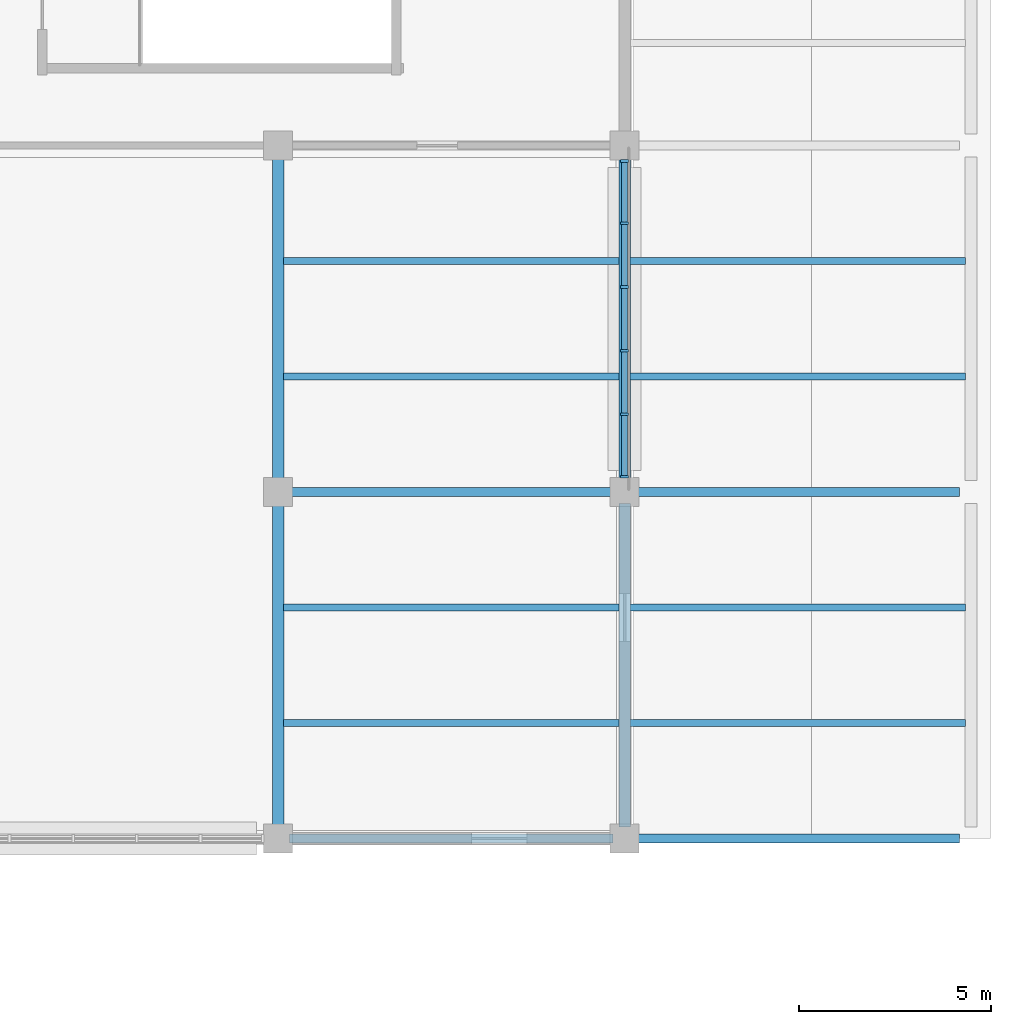
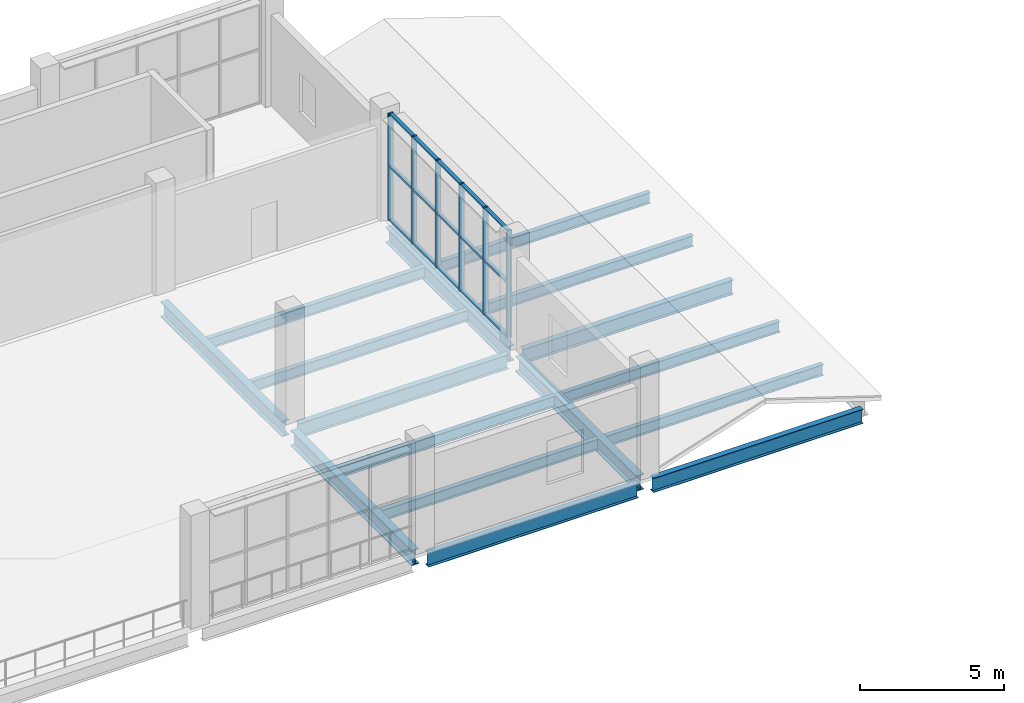
# One storey, part 67 of 152: 21 members, 16 beams, 1 element without a shape of its own.
"""IFC4 building model written with IfcOpenShell, lengths in metres."""

from ifc_helpers import new_model, si_unit, direction, frame, origin, origin_2d, place, context, subcontext, project, spatial, rectangle, i_section, extrude, material, material_profile, profile_set, type_object, element, aggregate, save


model = new_model("IFC4")

# Units and contexts
model_context = context("Model", 3, precision=1e-05, world=origin(), true_north=direction((0.0, 1.0)))
body_context = subcontext(model_context, "Body", "Model", "MODEL_VIEW")
ifc_project = project(units=[si_unit("LENGTHUNIT", "METRE"), si_unit("AREAUNIT", "SQUARE_METRE"), si_unit("VOLUMEUNIT", "CUBIC_METRE"), si_unit("PLANEANGLEUNIT", "RADIAN"), si_unit("MASSUNIT", "GRAM", prefix="KILO")], contexts=[model_context])

# Site, building, storey
site_placement = place(None, origin())
site = spatial("IfcSite", under=ifc_project, at=site_placement, CompositionType="ELEMENT")
building_placement = place(site_placement, origin())
building = spatial("IfcBuilding", under=site, at=building_placement, Name="Zevraka Park Crest Stadium", CompositionType="ELEMENT")
storey_placement = place(building_placement, frame((0.0, 0.0, 15.0)))
storey = spatial("IfcBuildingStorey", under=building, at=storey_placement, Name="L03", CompositionType="ELEMENT", Elevation=15.0)

# Beams
ifc_material_1 = material(Name="Steel S355", Category="steel")
ifc_material_profile_1 = material_profile(ifc_material_1, i_section(OverallWidth=0.300048828125, OverallDepth=0.64990234375, WebThickness=0.01611328125, FlangeThickness=0.031005859375, at=origin_2d()), Name="HEB 650")
ifc_profile_set_1 = profile_set([ifc_material_profile_1], Name="Steel S355")
beam_type_1 = type_object("IfcBeamType", Name="BG07", PredefinedType="BEAM", material=ifc_profile_set_1)
for number, where, z_axis, x_axis, name in (
    (1, (206.0, 158.300048828125, -0.633056640625), (0.0, 1.0, 0.0), (-1.0, 0.0, 0.0), "Wing Girder BG07 L03-23/TU"),
    (2, (206.0, 167.300048828125, -0.633056640625), (0.0, 1.0, 0.0), (-1.0, 0.0, 0.0), "Wing Girder BG07 L03-23/UV"),
    (3, (215.0, 158.300048828125, -0.633056640625), (0.0, 1.0, 0.0), (-1.0, 0.0, 0.0), "Wing Girder BG07 L03-24/TU"),
    (4, (215.0, 167.300048828125, -0.633056640625), (0.0, 1.0, 0.0), (-1.0, 0.0, 0.0), "Wing Girder BG07 L03-24/UV"),
):
    element("IfcBeam", number, at=place(storey_placement, frame(where, z_axis=z_axis, x_axis=x_axis)), inside=storey, type_object=beam_type_1, Name=name, PredefinedType="BEAM", context=body_context, shape_type="SweptSolid", body=[
        extrude(i_section(OverallWidth=0.300048828125, OverallDepth=0.64990234375, WebThickness=0.01611328125, FlangeThickness=0.031005859375, at=origin_2d()), origin(), (0.0, 0.0, 1.0), 8.39990234375),
    ])
ifc_material_2 = material(Name="Steel S355", Category="steel")
ifc_material_profile_2 = material_profile(ifc_material_2, i_section(OverallWidth=0.22900390625, OverallDepth=0.612060546875, WebThickness=0.011962890625, FlangeThickness=0.01953125, at=origin_2d()), Name="UKB 610x229x125")
ifc_profile_set_2 = profile_set([ifc_material_profile_2], Name="Steel S355")
beam_type_2 = type_object("IfcBeamType", Name="BG09", PredefinedType="BEAM", material=ifc_profile_set_2)
for number, where, z_axis, x_axis, name in (
    (5, (206.300048828125, 158.0, -0.614013671875), (1.0, 0.0, 0.0), (0.0, 1.0, 0.0), "Wing Girder BG09 L03-2324/T"),
    (6, (206.300048828125, 167.0, -0.614013671875), (1.0, 0.0, 0.0), (0.0, 1.0, 0.0), "Wing Girder BG09 L03-2324/U"),
    (7, (215.300048828125, 158.0, -0.614013671875), (1.0, 0.0, 0.0), (0.0, 1.0, 0.0), "Wing Girder BG09 L03-2425/T"),
    (8, (215.300048828125, 167.0, -0.614013671875), (1.0, 0.0, 0.0), (0.0, 1.0, 0.0), "Wing Girder BG09 L03-2425/U"),
):
    element("IfcBeam", number, at=place(storey_placement, frame(where, z_axis=z_axis, x_axis=x_axis)), inside=storey, type_object=beam_type_2, Name=name, PredefinedType="BEAM", context=body_context, shape_type="SweptSolid", body=[
        extrude(i_section(OverallWidth=0.22900390625, OverallDepth=0.612060546875, WebThickness=0.011962890625, FlangeThickness=0.01953125, at=origin_2d()), origin(), (0.0, 0.0, 1.0), 8.39990234375),
    ])

# Curtain wall, members
ifc_material_3 = material(Name="Anodised architectural aluminium and laminated safety glass", Category="aluminium")
curtain_wall_type = type_object("IfcCurtainWallType", Name="CW30", PredefinedType="NOTDEFINED", material=ifc_material_3)
curtain_wall_placement = place(storey_placement, origin())
curtain_wall = element("IfcCurtainWall", 9, at=curtain_wall_placement, inside=storey, type_object=curtain_wall_type, Name="Wing Curtain Wall CW30 L03-NGATE-E3-2", PredefinedType="NOTDEFINED")
ifc_material_4 = material(Name="Anodised architectural aluminium", Category="aluminium")
ifc_material_profile_3 = material_profile(ifc_material_4, rectangle(XDim=0.199951171875, YDim=0.070068359375, at=origin_2d()), Name="ALU MULLION 200x70")
ifc_profile_set_3 = profile_set([ifc_material_profile_3], Name="Anodised architectural aluminium")
member_type_1 = type_object("IfcMemberType", Name="CM03", PredefinedType="MULLION", material=ifc_profile_set_3)
member_1_placement = place(storey_placement, frame((215.0, 175.60009765625, 0.0), z_axis=(0.0, 0.0, 1.0), x_axis=(1.0, 0.0, 0.0)))
member_1 = element("IfcMember", 10, at=member_1_placement, type_object=member_type_1, Name="CW30 mullion 1", PredefinedType="MULLION", context=body_context, shape_type="SweptSolid", body=[
    extrude(rectangle(XDim=0.199951171875, YDim=0.070068359375, at=origin_2d()), origin(), (0.0, 0.0, 1.0), 4.5400390625),
])
member_2_placement = place(storey_placement, frame((215.0, 173.98095703125, 0.0), z_axis=(0.0, 0.0, 1.0), x_axis=(1.0, 0.0, 0.0)))
member_2 = element("IfcMember", 11, at=member_2_placement, type_object=member_type_1, Name="CW30 mullion 2", PredefinedType="MULLION", context=body_context, shape_type="SweptSolid", body=[
    extrude(rectangle(XDim=0.199951171875, YDim=0.070068359375, at=origin_2d()), origin(), (0.0, 0.0, 1.0), 4.5400390625),
])
member_3_placement = place(storey_placement, frame((215.0, 172.326904296875, 0.0), z_axis=(0.0, 0.0, 1.0), x_axis=(1.0, 0.0, 0.0)))
member_3 = element("IfcMember", 12, at=member_3_placement, type_object=member_type_1, Name="CW30 mullion 3", PredefinedType="MULLION", context=body_context, shape_type="SweptSolid", body=[
    extrude(rectangle(XDim=0.199951171875, YDim=0.070068359375, at=origin_2d()), origin(), (0.0, 0.0, 1.0), 4.5400390625),
])
member_4_placement = place(storey_placement, frame((215.0, 170.673095703125, 0.0), z_axis=(0.0, 0.0, 1.0), x_axis=(1.0, 0.0, 0.0)))
member_4 = element("IfcMember", 13, at=member_4_placement, type_object=member_type_1, Name="CW30 mullion 4", PredefinedType="MULLION", context=body_context, shape_type="SweptSolid", body=[
    extrude(rectangle(XDim=0.199951171875, YDim=0.070068359375, at=origin_2d()), origin(), (0.0, 0.0, 1.0), 4.5400390625),
])
member_5_placement = place(storey_placement, frame((215.0, 169.01904296875, 0.0), z_axis=(0.0, 0.0, 1.0), x_axis=(1.0, 0.0, 0.0)))
member_5 = element("IfcMember", 14, at=member_5_placement, type_object=member_type_1, Name="CW30 mullion 5", PredefinedType="MULLION", context=body_context, shape_type="SweptSolid", body=[
    extrude(rectangle(XDim=0.199951171875, YDim=0.070068359375, at=origin_2d()), origin(), (0.0, 0.0, 1.0), 4.5400390625),
])
member_6_placement = place(storey_placement, frame((215.0, 167.39990234375, 0.0), z_axis=(0.0, 0.0, 1.0), x_axis=(1.0, 0.0, 0.0)))
member_6 = element("IfcMember", 15, at=member_6_placement, type_object=member_type_1, Name="CW30 mullion 6", PredefinedType="MULLION", context=body_context, shape_type="SweptSolid", body=[
    extrude(rectangle(XDim=0.199951171875, YDim=0.070068359375, at=origin_2d()), origin(), (0.0, 0.0, 1.0), 4.5400390625),
])
ifc_material_5 = material(Name="Anodised architectural aluminium", Category="aluminium")
ifc_material_profile_4 = material_profile(ifc_material_5, rectangle(XDim=0.14990234375, YDim=0.070068359375, at=origin_2d()), Name="ALU TRANSOM 150x70")
ifc_profile_set_4 = profile_set([ifc_material_profile_4], Name="Anodised architectural aluminium")
member_type_2 = type_object("IfcMemberType", Name="CT03", PredefinedType="USERDEFINED", material=ifc_profile_set_4)
member_7_placement = place(storey_placement, frame((215.0, 175.56494140625, 0.034912109375), z_axis=(0.0, -1.0, 0.0), x_axis=(1.0, 0.0, 0.0)))
member_7 = element("IfcMember", 16, at=member_7_placement, type_object=member_type_2, Name="CW30 transom 1.1", ObjectType="TRANSOM", PredefinedType="USERDEFINED", context=body_context, shape_type="SweptSolid", body=[
    extrude(rectangle(XDim=0.14990234375, YDim=0.070068359375, at=origin_2d()), origin(), (0.0, 0.0, 1.0), 1.548828125),
])
member_8_placement = place(storey_placement, frame((215.0, 175.56494140625, 2.300048828125), z_axis=(0.0, -1.0, 0.0), x_axis=(1.0, 0.0, 0.0)))
member_8 = element("IfcMember", 17, at=member_8_placement, type_object=member_type_2, Name="CW30 transom 1.2", ObjectType="TRANSOM", PredefinedType="USERDEFINED", context=body_context, shape_type="SweptSolid", body=[
    extrude(rectangle(XDim=0.14990234375, YDim=0.070068359375, at=origin_2d()), origin(), (0.0, 0.0, 1.0), 1.548828125),
])
member_9_placement = place(storey_placement, frame((215.0, 175.56494140625, 4.5048828125), z_axis=(0.0, -1.0, 0.0), x_axis=(1.0, 0.0, 0.0)))
member_9 = element("IfcMember", 18, at=member_9_placement, type_object=member_type_2, Name="CW30 transom 1.3", ObjectType="TRANSOM", PredefinedType="USERDEFINED", context=body_context, shape_type="SweptSolid", body=[
    extrude(rectangle(XDim=0.14990234375, YDim=0.070068359375, at=origin_2d()), origin(), (0.0, 0.0, 1.0), 1.548828125),
])
member_10_placement = place(storey_placement, frame((215.0, 173.946044921875, 0.034912109375), z_axis=(0.0, -1.0, 0.0), x_axis=(1.0, 0.0, 0.0)))
member_10 = element("IfcMember", 19, at=member_10_placement, type_object=member_type_2, Name="CW30 transom 2.1", ObjectType="TRANSOM", PredefinedType="USERDEFINED", context=body_context, shape_type="SweptSolid", body=[
    extrude(rectangle(XDim=0.14990234375, YDim=0.070068359375, at=origin_2d()), origin(), (0.0, 0.0, 1.0), 1.583984375),
])
member_11_placement = place(storey_placement, frame((215.0, 173.946044921875, 2.300048828125), z_axis=(0.0, -1.0, 0.0), x_axis=(1.0, 0.0, 0.0)))
member_11 = element("IfcMember", 20, at=member_11_placement, type_object=member_type_2, Name="CW30 transom 2.2", ObjectType="TRANSOM", PredefinedType="USERDEFINED", context=body_context, shape_type="SweptSolid", body=[
    extrude(rectangle(XDim=0.14990234375, YDim=0.070068359375, at=origin_2d()), origin(), (0.0, 0.0, 1.0), 1.583984375),
])
member_12_placement = place(storey_placement, frame((215.0, 173.946044921875, 4.5048828125), z_axis=(0.0, -1.0, 0.0), x_axis=(1.0, 0.0, 0.0)))
member_12 = element("IfcMember", 21, at=member_12_placement, type_object=member_type_2, Name="CW30 transom 2.3", ObjectType="TRANSOM", PredefinedType="USERDEFINED", context=body_context, shape_type="SweptSolid", body=[
    extrude(rectangle(XDim=0.14990234375, YDim=0.070068359375, at=origin_2d()), origin(), (0.0, 0.0, 1.0), 1.583984375),
])
member_13_placement = place(storey_placement, frame((215.0, 172.2919921875, 0.034912109375), z_axis=(0.0, -1.0, 0.0), x_axis=(1.0, 0.0, 0.0)))
member_13 = element("IfcMember", 22, at=member_13_placement, type_object=member_type_2, Name="CW30 transom 3.1", ObjectType="TRANSOM", PredefinedType="USERDEFINED", context=body_context, shape_type="SweptSolid", body=[
    extrude(rectangle(XDim=0.14990234375, YDim=0.070068359375, at=origin_2d()), origin(), (0.0, 0.0, 1.0), 1.583984375),
])
member_14_placement = place(storey_placement, frame((215.0, 172.2919921875, 2.300048828125), z_axis=(0.0, -1.0, 0.0), x_axis=(1.0, 0.0, 0.0)))
member_14 = element("IfcMember", 23, at=member_14_placement, type_object=member_type_2, Name="CW30 transom 3.2", ObjectType="TRANSOM", PredefinedType="USERDEFINED", context=body_context, shape_type="SweptSolid", body=[
    extrude(rectangle(XDim=0.14990234375, YDim=0.070068359375, at=origin_2d()), origin(), (0.0, 0.0, 1.0), 1.583984375),
])
member_15_placement = place(storey_placement, frame((215.0, 172.2919921875, 4.5048828125), z_axis=(0.0, -1.0, 0.0), x_axis=(1.0, 0.0, 0.0)))
member_15 = element("IfcMember", 24, at=member_15_placement, type_object=member_type_2, Name="CW30 transom 3.3", ObjectType="TRANSOM", PredefinedType="USERDEFINED", context=body_context, shape_type="SweptSolid", body=[
    extrude(rectangle(XDim=0.14990234375, YDim=0.070068359375, at=origin_2d()), origin(), (0.0, 0.0, 1.0), 1.583984375),
])
member_16_placement = place(storey_placement, frame((215.0, 170.637939453125, 0.034912109375), z_axis=(0.0, -1.0, 0.0), x_axis=(1.0, 0.0, 0.0)))
member_16 = element("IfcMember", 25, at=member_16_placement, type_object=member_type_2, Name="CW30 transom 4.1", ObjectType="TRANSOM", PredefinedType="USERDEFINED", context=body_context, shape_type="SweptSolid", body=[
    extrude(rectangle(XDim=0.14990234375, YDim=0.070068359375, at=origin_2d()), origin(), (0.0, 0.0, 1.0), 1.583984375),
])
member_17_placement = place(storey_placement, frame((215.0, 170.637939453125, 2.300048828125), z_axis=(0.0, -1.0, 0.0), x_axis=(1.0, 0.0, 0.0)))
member_17 = element("IfcMember", 26, at=member_17_placement, type_object=member_type_2, Name="CW30 transom 4.2", ObjectType="TRANSOM", PredefinedType="USERDEFINED", context=body_context, shape_type="SweptSolid", body=[
    extrude(rectangle(XDim=0.14990234375, YDim=0.070068359375, at=origin_2d()), origin(), (0.0, 0.0, 1.0), 1.583984375),
])
member_18_placement = place(storey_placement, frame((215.0, 170.637939453125, 4.5048828125), z_axis=(0.0, -1.0, 0.0), x_axis=(1.0, 0.0, 0.0)))
member_18 = element("IfcMember", 27, at=member_18_placement, type_object=member_type_2, Name="CW30 transom 4.3", ObjectType="TRANSOM", PredefinedType="USERDEFINED", context=body_context, shape_type="SweptSolid", body=[
    extrude(rectangle(XDim=0.14990234375, YDim=0.070068359375, at=origin_2d()), origin(), (0.0, 0.0, 1.0), 1.583984375),
])
member_19_placement = place(storey_placement, frame((215.0, 168.98388671875, 0.034912109375), z_axis=(0.0, -1.0, 0.0), x_axis=(1.0, 0.0, 0.0)))
member_19 = element("IfcMember", 28, at=member_19_placement, type_object=member_type_2, Name="CW30 transom 5.1", ObjectType="TRANSOM", PredefinedType="USERDEFINED", context=body_context, shape_type="SweptSolid", body=[
    extrude(rectangle(XDim=0.14990234375, YDim=0.070068359375, at=origin_2d()), origin(), (0.0, 0.0, 1.0), 1.548828125),
])
member_20_placement = place(storey_placement, frame((215.0, 168.98388671875, 2.300048828125), z_axis=(0.0, -1.0, 0.0), x_axis=(1.0, 0.0, 0.0)))
member_20 = element("IfcMember", 29, at=member_20_placement, type_object=member_type_2, Name="CW30 transom 5.2", ObjectType="TRANSOM", PredefinedType="USERDEFINED", context=body_context, shape_type="SweptSolid", body=[
    extrude(rectangle(XDim=0.14990234375, YDim=0.070068359375, at=origin_2d()), origin(), (0.0, 0.0, 1.0), 1.548828125),
])
member_21_placement = place(storey_placement, frame((215.0, 168.98388671875, 4.5048828125), z_axis=(0.0, -1.0, 0.0), x_axis=(1.0, 0.0, 0.0)))
member_21 = element("IfcMember", 30, at=member_21_placement, type_object=member_type_2, Name="CW30 transom 5.3", ObjectType="TRANSOM", PredefinedType="USERDEFINED", context=body_context, shape_type="SweptSolid", body=[
    extrude(rectangle(XDim=0.14990234375, YDim=0.070068359375, at=origin_2d()), origin(), (0.0, 0.0, 1.0), 1.548828125),
])
aggregate(curtain_wall, [member_1, member_2, member_3, member_4, member_5, member_6, member_7, member_8, member_9, member_10, member_11, member_12, member_13, member_14, member_15, member_16, member_17, member_18, member_19, member_20, member_21])

# Beams
ifc_material_6 = material(Name="Steel S355", Category="steel")
ifc_material_profile_5 = material_profile(ifc_material_6, i_section(OverallWidth=0.18994140625, OverallDepth=0.45703125, WebThickness=0.009033203125, FlangeThickness=0.014404296875, at=origin_2d()), Name="UKB 457x191x74")
ifc_profile_set_5 = profile_set([ifc_material_profile_5], Name="Steel S355")
beam_type_3 = type_object("IfcBeamType", Name="SJ12", PredefinedType="JOIST", material=ifc_profile_set_5)
for number, where, z_axis, x_axis, name in (
    (31, (206.14501953125, 161.0, -0.53857421875), (1.0, 0.0, 0.0), (0.0, 1.0, 0.0), "Wing Joist SJ12 L03-23/T-1"),
    (32, (206.14501953125, 164.0, -0.53857421875), (1.0, 0.0, 0.0), (0.0, 1.0, 0.0), "Wing Joist SJ12 L03-23/T-2"),
    (33, (206.14501953125, 170.0, -0.53857421875), (1.0, 0.0, 0.0), (0.0, 1.0, 0.0), "Wing Joist SJ12 L03-23/U-1"),
    (34, (206.14501953125, 173.0, -0.53857421875), (1.0, 0.0, 0.0), (0.0, 1.0, 0.0), "Wing Joist SJ12 L03-23/U-2"),
    (35, (215.14501953125, 161.0, -0.53857421875), (1.0, 0.0, 0.0), (0.0, 1.0, 0.0), "Wing Joist SJ12 L03-24/T-1"),
    (36, (215.14501953125, 164.0, -0.53857421875), (1.0, 0.0, 0.0), (0.0, 1.0, 0.0), "Wing Joist SJ12 L03-24/T-2"),
    (37, (215.14501953125, 170.0, -0.53857421875), (1.0, 0.0, 0.0), (0.0, 1.0, 0.0), "Wing Joist SJ12 L03-24/U-1"),
    (38, (215.14501953125, 173.0, -0.53857421875), (1.0, 0.0, 0.0), (0.0, 1.0, 0.0), "Wing Joist SJ12 L03-24/U-2"),
):
    element("IfcBeam", number, at=place(storey_placement, frame(where, z_axis=z_axis, x_axis=x_axis)), inside=storey, type_object=beam_type_3, Name=name, PredefinedType="JOIST", context=body_context, shape_type="SweptSolid", body=[
        extrude(i_section(OverallWidth=0.18994140625, OverallDepth=0.45703125, WebThickness=0.009033203125, FlangeThickness=0.014404296875, at=origin_2d()), origin(), (0.0, 0.0, 1.0), 8.7099609375),
    ])

save(model, "model.ifc")
